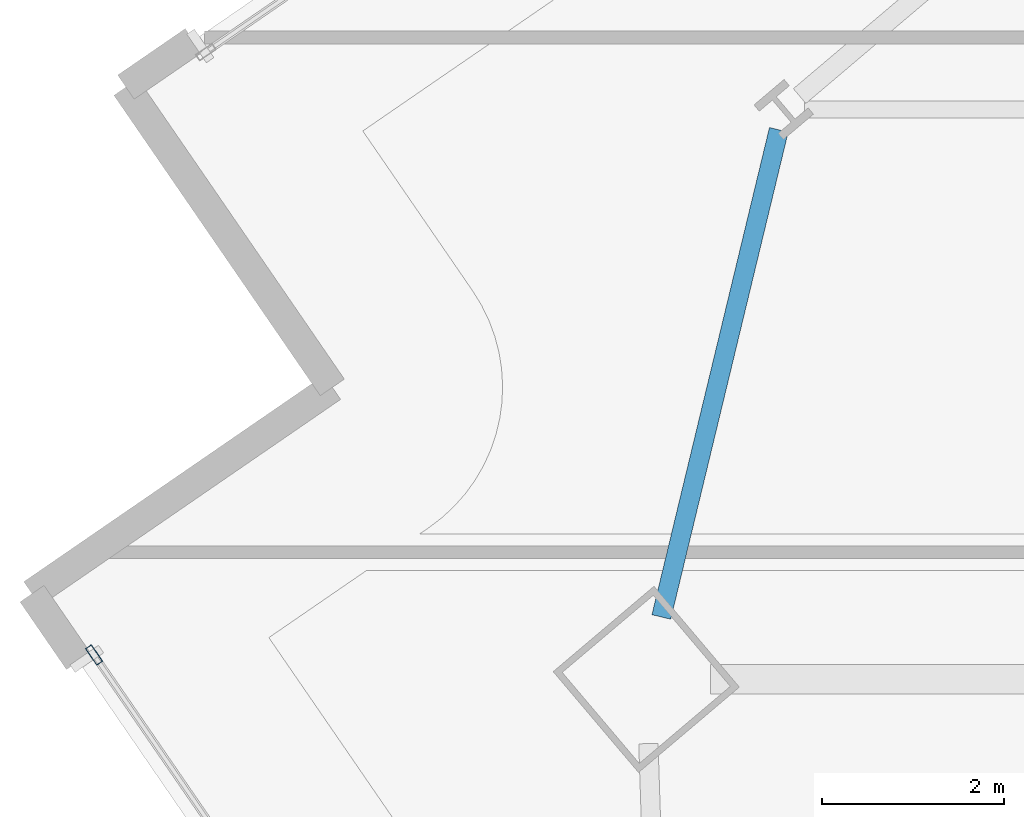
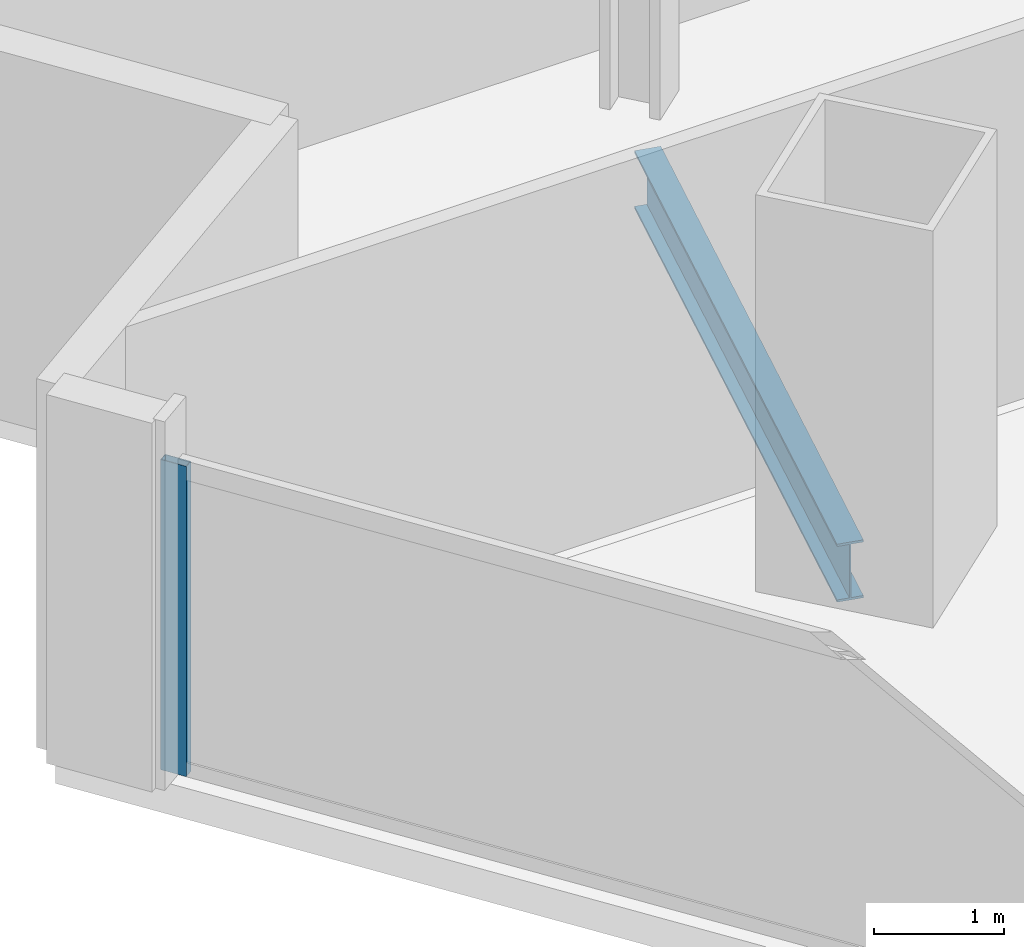
# One storey, part 11 of 29: 1 beam, 1 member, 1 element without a shape of its own.
"""IFC4 building model written with IfcOpenShell, lengths in metres."""

from ifc_helpers import new_model, si_unit, direction, frame, origin, origin_2d, place, context, subcontext, project, spatial, hollow_rectangle, i_section, extrude, material, material_profile, profile_set, type_object, element, aggregate, save


model = new_model("IFC4")

# Units and contexts
model_context = context("Model", 3, precision=1e-05, world=origin(), true_north=direction((0.0, 1.0)))
body_context = subcontext(model_context, "Body", "Model", "MODEL_VIEW")
ifc_project = project(units=[si_unit("LENGTHUNIT", "METRE"), si_unit("AREAUNIT", "SQUARE_METRE"), si_unit("VOLUMEUNIT", "CUBIC_METRE"), si_unit("PLANEANGLEUNIT", "RADIAN"), si_unit("MASSUNIT", "GRAM", prefix="KILO")], contexts=[model_context])

# Site, building, storey
site_placement = place(None, origin())
site = spatial("IfcSite", under=ifc_project, at=site_placement, CompositionType="ELEMENT")
building_placement = place(site_placement, origin())
building = spatial("IfcBuilding", under=site, at=building_placement, Name="Haldenkirk Collegiate Tower", CompositionType="ELEMENT")
storey_placement = place(building_placement, frame((0.0, 0.0, 144.449951171875)))
storey = spatial("IfcBuildingStorey", under=building, at=storey_placement, Name="L35", CompositionType="ELEMENT", Elevation=144.449951171875)

# Beam
ifc_material_1 = material(Name="Steel ASTM A992 Grade 50", Category="steel")
ifc_material_profile_1 = material_profile(ifc_material_1, i_section(OverallWidth=0.2119140625, OverallDepth=0.5439453125, WebThickness=0.01318359375, FlangeThickness=0.021240234375, at=origin_2d()), Name="W21X83")
ifc_profile_set_1 = profile_set([ifc_material_profile_1], Name="Steel ASTM A992 Grade 50")
beam_type = type_object("IfcBeamType", Name="BM-SPANDREL-W21X83", PredefinedType="SPANDREL", material=ifc_profile_set_1)
beam_placement = place(storey_placement, frame((12.21630859375, 33.137451171875, -0.56201171875), z_axis=(-0.234477140293, -0.972121633686, 0.0), x_axis=(0.972121633686, -0.234477140293, 0.0)))
element("IfcBeam", 1, at=beam_placement, inside=storey, type_object=beam_type, Name="L35 perimeter spandrel beam 12", PredefinedType="SPANDREL", context=body_context, shape_type="SweptSolid", body=[
    extrude(i_section(OverallWidth=0.2119140625, OverallDepth=0.5439453125, WebThickness=0.01318359375, FlangeThickness=0.021240234375, at=origin_2d()), origin(), (0.0, 0.0, 1.0), 5.501708984375),
])

# Curtain wall, member
ifc_material_2 = material(Name="Anodised architectural bronze aluminium", Category="aluminium")
curtain_wall_type = type_object("IfcCurtainWallType", Name="CW-SYS1-CONVEX-LOW", PredefinedType="USERDEFINED", material=ifc_material_2)
curtain_wall_placement = place(storey_placement, origin())
curtain_wall = element("IfcCurtainWall", 2, at=curtain_wall_placement, inside=storey, type_object=curtain_wall_type, Name="L35 Lower tower convex bronze-framed unitised curtain wall", ObjectType="UNITISED CURTAIN WALL", PredefinedType="USERDEFINED")
ifc_material_profile_2 = material_profile(ifc_material_2, hollow_rectangle(XDim=0.080078125, YDim=0.219970703125, WallThickness=0.0048828125, at=origin_2d()), Name="CW-MUL-1A")
ifc_profile_set_2 = profile_set([ifc_material_profile_2], Name="Anodised architectural bronze aluminium")
member_type = type_object("IfcMemberType", Name="CW-MUL-1A", PredefinedType="MULLION", material=ifc_profile_set_2)
member_placement = place(storey_placement, frame((4.697998046875, 27.37158203125, 0.0), z_axis=(0.0, 0.0, 1.0), x_axis=(-0.8241287566, -0.566402500476, 0.0)))
member = element("IfcMember", 3, at=member_placement, type_object=member_type, Name="CW-1A mullion 5", PredefinedType="MULLION", context=body_context, shape_type="SweptSolid", body=[
    extrude(hollow_rectangle(XDim=0.080078125, YDim=0.219970703125, WallThickness=0.0048828125, at=origin_2d()), origin(), (0.0, 0.0, 1.0), 2.9111328125),
])
aggregate(curtain_wall, [member])

save(model, "model.ifc")
